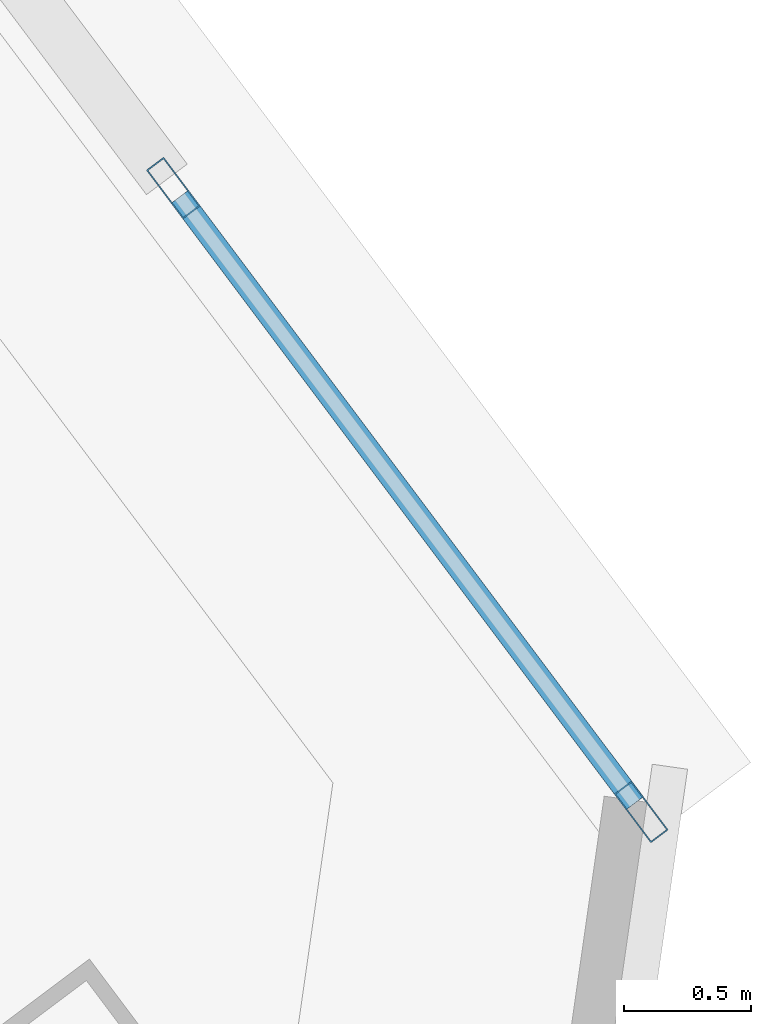
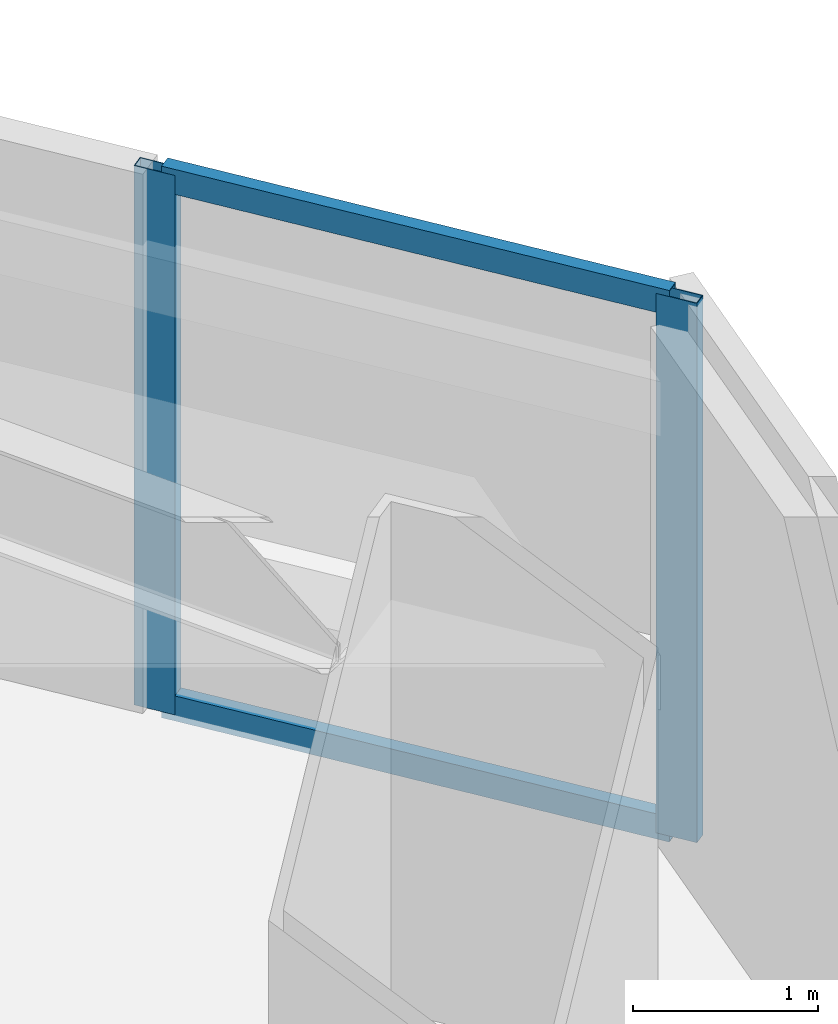
# One storey, part 28 of 48: 4 members, 1 element without a shape of its own.
"""IFC4 building model written with IfcOpenShell, lengths in metres."""

import ifcopenshell
import ifcopenshell.guid

model = None  # the IFC model being written
_history = None  # IfcOwnerHistory: only IFC2X3 demands one
_inside = {}  # id of a spatial element -> (the spatial element, [elements in it])
_under = {}  # id of a project, library or spatial element -> (it, [spatial elements below it])
_declared = {}  # id of a project -> (the project, [libraries it declares])
_typed = {}  # id of a type object -> (the type object, [elements of that type])
_made_of = {}  # id of a material, layer set ... -> (it, [elements and type objects made of it])


def new_model(schema):
    """Start an empty IFC model of exactly this schema.

    Asked for "IFC4X3", IfcOpenShell would pick the latest addendum, in which some entities
    have other attributes; the version numbers below select the first issue.
    IFC2X3 requires an IfcOwnerHistory on every rooted entity: one is made here for all.
    """
    global model, _history
    if schema == "IFC4X3":
        model = ifcopenshell.file(schema_version=(4, 3, 0, 0))
    else:
        model = ifcopenshell.file(schema=schema)
    _inside.clear()
    _under.clear()
    _declared.clear()
    _typed.clear()
    _made_of.clear()
    _history = None
    if model.schema == "IFC2X3":
        org = make("IfcOrganization", Name="unknown")
        user = make(
            "IfcPersonAndOrganization",
            ThePerson=make("IfcPerson", FamilyName="unknown"),
            TheOrganization=org,
        )
        app = make(
            "IfcApplication",
            ApplicationDeveloper=org,
            Version="unknown",
            ApplicationFullName="unknown",
            ApplicationIdentifier="unknown",
        )
        _history = make(
            "IfcOwnerHistory",
            OwningUser=user,
            OwningApplication=app,
            ChangeAction="ADDED",
            CreationDate=0,
        )
    return model


def make(cls, **values):
    """One entity of the class cls with the attributes given. An attribute that is None is left unset."""
    return model.create_entity(
        cls, **{name: value for name, value in values.items() if value is not None}
    )


def rooted(cls, **values):
    """An entity with a GlobalId (a new one), such as an element, a storey or a relation."""
    return make(cls, GlobalId=ifcopenshell.guid.new(), OwnerHistory=_history, **values)


def si_unit(unit_type, name, prefix=None):
    """IfcSIUnit, for example si_unit("LENGTHUNIT", "METRE", prefix="MILLI")."""
    return make("IfcSIUnit", UnitType=unit_type, Prefix=prefix, Name=name)


def assignment(units):
    """IfcUnitAssignment: the units of a project."""
    return None if units is None else make("IfcUnitAssignment", Units=units)


def point(xyz):
    """IfcCartesianPoint."""
    return None if xyz is None else make("IfcCartesianPoint", Coordinates=xyz)


def direction(xyz):
    """IfcDirection."""
    return None if xyz is None else make("IfcDirection", DirectionRatios=xyz)


def frame(location, z_axis=None, x_axis=None):
    """IfcAxis2Placement3D, a coordinate frame: its origin and axes. An axis left out is left unset."""
    return make(
        "IfcAxis2Placement3D",
        Location=point(location),
        Axis=direction(z_axis),
        RefDirection=direction(x_axis),
    )


def frame_2d(location, x_axis=None):
    """IfcAxis2Placement2D, a coordinate frame in the plane: its origin and x axis."""
    return make(
        "IfcAxis2Placement2D", Location=point(location), RefDirection=direction(x_axis)
    )


def origin():
    """The frame at (0, 0, 0) with its axes left unset."""
    return frame((0.0, 0.0, 0.0))


def origin_2d():
    """The frame at (0, 0) in the plane with its x axis left unset."""
    return frame_2d((0.0, 0.0))


def place(relative_to, where):
    """IfcLocalPlacement: puts the frame where relative to a parent placement (None: the world)."""
    return make(
        "IfcLocalPlacement", PlacementRelTo=relative_to, RelativePlacement=where
    )


def context(
    kind, dimensions, precision=None, world=None, true_north=None, identifier=None
):
    """IfcGeometricRepresentationContext, for example the 3D "Model" context."""
    return make(
        "IfcGeometricRepresentationContext",
        ContextIdentifier=identifier,
        ContextType=kind,
        CoordinateSpaceDimension=dimensions,
        Precision=precision,
        WorldCoordinateSystem=world,
        TrueNorth=true_north,
    )


def subcontext(parent, identifier, kind, view, scale=None):
    """IfcGeometricRepresentationSubContext, for example "Body" below "Model"."""
    return make(
        "IfcGeometricRepresentationSubContext",
        ContextIdentifier=identifier,
        ContextType=kind,
        ParentContext=parent,
        TargetScale=scale,
        TargetView=view,
    )


def project(units=None, contexts=None):
    """IfcProject with its units and contexts."""
    return rooted(
        "IfcProject",
        Name="project",
        RepresentationContexts=contexts,
        UnitsInContext=assignment(units),
    )


def spatial(cls, under=None, at=None, **own):
    """A site, building, storey or space (cls), placed at a placement, below another one or the project."""
    s = rooted(cls, ObjectPlacement=at, **own)
    if under is not None:
        _under.setdefault(under.id(), (under, []))[1].append(s)
    return s


def profile(cls, at=None, kind="AREA", **sizes):
    """A parametric profile (cls). Its sizes go by their IFC names, for example OverallWidth=200.0."""
    return make(cls, ProfileType=kind, Position=at, **sizes)


def hollow_rectangle(**sizes):
    """IfcRectangleHollowProfileDef."""
    return profile("IfcRectangleHollowProfileDef", **sizes)


def extrude(swept, where, along, depth):
    """IfcExtrudedAreaSolid: the profile swept, set in the frame where, extruded along a direction by depth."""
    return make(
        "IfcExtrudedAreaSolid",
        SweptArea=swept,
        Position=where,
        ExtrudedDirection=direction(along),
        Depth=depth,
    )


def shape(context_of_items, identifier, shape_type, items):
    """IfcShapeRepresentation: the items that make up one representation, for example the "Body"."""
    return make(
        "IfcShapeRepresentation",
        ContextOfItems=context_of_items,
        RepresentationIdentifier=identifier,
        RepresentationType=shape_type,
        Items=items,
    )


def material(Name=None, Category=None):
    """IfcMaterial."""
    return make("IfcMaterial", Name=Name, Category=Category)


def material_profile(
    of_material, cross_section, Name=None, Category=None, Priority=None
):
    """IfcMaterialProfile: a cross section and its material."""
    return make(
        "IfcMaterialProfile",
        Name=Name,
        Material=of_material,
        Profile=cross_section,
        Priority=Priority,
        Category=Category,
    )


def profile_set(profiles, Name=None, composite=None):
    """IfcMaterialProfileSet."""
    return make(
        "IfcMaterialProfileSet",
        Name=Name,
        MaterialProfiles=profiles,
        CompositeProfile=composite,
    )


def made_of(thing, what):
    """Note that an element or type object is made of a material, layer set ...; save() writes the relation."""
    if what is not None:
        _made_of.setdefault(what.id(), (what, []))[1].append(thing)
    return thing


def type_object(cls, material=None, **own):
    """A type object (cls), such as IfcWallType, which elements share."""
    return made_of(rooted(cls, **own), material)


def element(
    cls,
    number,
    at=None,
    inside=None,
    cuts=None,
    type_object=None,
    material=None,
    context=None,
    identifier="Body",
    shape_type=None,
    held_by="IfcProductDefinitionShape",
    body=None,
    shapes=None,
    **own,
):
    """One element of the class cls, such as IfcWall. Its Tag is "e" and its number.

    at: its placement. inside: the storey or other place that contains it. cuts: it is an
    opening in that element (IfcRelVoidsElement). A single representation is given by context,
    identifier, shape_type and body (its items); several are given by shapes. held_by: the class
    of the entity that holds the representations. save() writes the other relations.
    """
    e = rooted(cls, Tag="e%d" % number, ObjectPlacement=at, **own)
    if body is not None:
        shapes = [shape(context, identifier, shape_type, body)]
    if shapes is not None:
        e.Representation = make(held_by, Representations=shapes)
    if inside is not None:
        _inside.setdefault(inside.id(), (inside, []))[1].append(e)
    if cuts is not None:
        rooted(
            "IfcRelVoidsElement", RelatingBuildingElement=cuts, RelatedOpeningElement=e
        )
    if type_object is not None:
        _typed.setdefault(type_object.id(), (type_object, []))[1].append(e)
    return made_of(e, material)


def aggregate(whole, parts):
    """IfcRelAggregates: a whole, such as a stair, and the parts it consists of."""
    return rooted("IfcRelAggregates", RelatingObject=whole, RelatedObjects=parts)


def save(model, path):
    """Write the relations noted so far, then the file.

    IfcRelAggregates (storeys below a building ...), IfcRelContainedInSpatialStructure (elements
    in a storey), IfcRelDefinesByType, IfcRelAssociatesMaterial and IfcRelDeclares: one each for
    every whole, place, type object, material and project.
    """
    for whole, parts in _under.values():
        aggregate(whole, parts)
    for where, things in _inside.values():
        rooted(
            "IfcRelContainedInSpatialStructure",
            RelatedElements=things,
            RelatingStructure=where,
        )
    for kind, things in _typed.values():
        rooted("IfcRelDefinesByType", RelatedObjects=things, RelatingType=kind)
    for what, things in _made_of.values():
        rooted("IfcRelAssociatesMaterial", RelatedObjects=things, RelatingMaterial=what)
    for by, libraries in _declared.values():
        rooted("IfcRelDeclares", RelatingContext=by, RelatedDefinitions=libraries)
    model.write(path)


model = new_model("IFC4")

# Units and contexts
model_context = context("Model", 3, precision=1e-05, world=origin(), true_north=direction((0.0, 1.0)))
body_context = subcontext(model_context, "Body", "Model", "MODEL_VIEW")
ifc_project = project(units=[si_unit("LENGTHUNIT", "METRE"), si_unit("AREAUNIT", "SQUARE_METRE"), si_unit("VOLUMEUNIT", "CUBIC_METRE"), si_unit("PLANEANGLEUNIT", "RADIAN"), si_unit("MASSUNIT", "GRAM", prefix="KILO")], contexts=[model_context])

# Site, building, storey
site_placement = place(None, origin())
site = spatial("IfcSite", under=ifc_project, at=site_placement, CompositionType="ELEMENT")
building_placement = place(site_placement, origin())
building = spatial("IfcBuilding", under=site, at=building_placement, Name="Tashvorn Skyway Center", CompositionType="ELEMENT")
storey_placement = place(building_placement, frame((0.0, 0.0, 53.0)))
storey = spatial("IfcBuildingStorey", under=building, at=storey_placement, Name="L13", CompositionType="ELEMENT", Elevation=53.0)

# Curtain wall, members
ifc_material = material(Name="Thermally broken bronze-anodized aluminium 6063-T6", Category="aluminium")
curtain_wall_type = type_object("IfcCurtainWallType", Name="CW-CW-Z1", PredefinedType="NOTDEFINED", material=ifc_material)
curtain_wall_placement = place(storey_placement, origin())
curtain_wall = element("IfcCurtainWall", 1, at=curtain_wall_placement, inside=storey, type_object=curtain_wall_type, Name="Tower 2 L13 East Unitised Curtain Wall Glazing Group 3", PredefinedType="NOTDEFINED")
ifc_material_profile_1 = material_profile(ifc_material, hollow_rectangle(XDim=0.0849609375, YDim=0.239990234375, WallThickness=0.0048828125, at=origin_2d()), Name="ALU-MULL-85x240")
ifc_profile_set_1 = profile_set([ifc_material_profile_1], Name="Thermally broken bronze-anodized aluminium 6063-T6")
member_type_1 = type_object("IfcMemberType", Name="CWM-CW-Z1", PredefinedType="MULLION", material=ifc_profile_set_1)
member_1_placement = place(storey_placement, frame((140.8095703125, 32.38720703125, 0.0), z_axis=(0.0, 0.0, 1.0), x_axis=(0.799996186392, 0.600005084776, 0.0)))
member_1 = element("IfcMember", 2, at=member_1_placement, type_object=member_type_1, Name="CW-Z1 mullion 1", PredefinedType="MULLION", context=body_context, shape_type="SweptSolid", body=[
    extrude(hollow_rectangle(XDim=0.0849609375, YDim=0.239990234375, WallThickness=0.0048828125, at=origin_2d()), origin(), (0.0, 0.0, 1.0), 3.550048828125),
])
member_2_placement = place(storey_placement, frame((142.646484375, 29.93798828125, 0.0), z_axis=(0.0, 0.0, 1.0), x_axis=(0.799996186392, 0.600005084776, 0.0)))
member_2 = element("IfcMember", 3, at=member_2_placement, type_object=member_type_1, Name="CW-Z1 mullion 2", PredefinedType="MULLION", context=body_context, shape_type="SweptSolid", body=[
    extrude(hollow_rectangle(XDim=0.0849609375, YDim=0.239990234375, WallThickness=0.0048828125, at=origin_2d()), origin(), (0.0, 0.0, 1.0), 3.550048828125),
])
ifc_material_profile_2 = material_profile(ifc_material, hollow_rectangle(XDim=0.0849609375, YDim=0.1650390625, WallThickness=0.0048828125, at=origin_2d()), Name="ALU-TRAN-85x165")
ifc_profile_set_2 = profile_set([ifc_material_profile_2], Name="Thermally broken bronze-anodized aluminium 6063-T6")
member_type_2 = type_object("IfcMemberType", Name="CWT-CW-Z1", PredefinedType="USERDEFINED", material=ifc_profile_set_2)
member_3_placement = place(storey_placement, frame((140.8349609375, 32.353271484375, 0.04248046875), z_axis=(0.600026244674, -0.799980315822, 0.0), x_axis=(0.799980315822, 0.600026244674, 0.0)))
member_3 = element("IfcMember", 4, at=member_3_placement, type_object=member_type_2, Name="CW-Z1 transom 1.1", ObjectType="TRANSOM", PredefinedType="USERDEFINED", context=body_context, shape_type="SweptSolid", body=[
    extrude(hollow_rectangle(XDim=0.0849609375, YDim=0.1650390625, WallThickness=0.0048828125, at=origin_2d()), origin(), (0.0, 0.0, 1.0), 2.976806640625),
])
member_4_placement = place(storey_placement, frame((140.8349609375, 32.353271484375, 3.507568359375), z_axis=(0.600026244674, -0.799980315822, 0.0), x_axis=(0.799980315822, 0.600026244674, 0.0)))
member_4 = element("IfcMember", 5, at=member_4_placement, type_object=member_type_2, Name="CW-Z1 transom 1.2", ObjectType="TRANSOM", PredefinedType="USERDEFINED", context=body_context, shape_type="SweptSolid", body=[
    extrude(hollow_rectangle(XDim=0.0849609375, YDim=0.1650390625, WallThickness=0.0048828125, at=origin_2d()), origin(), (0.0, 0.0, 1.0), 2.976806640625),
])
aggregate(curtain_wall, [member_1, member_2, member_3, member_4])

save(model, "model.ifc")
